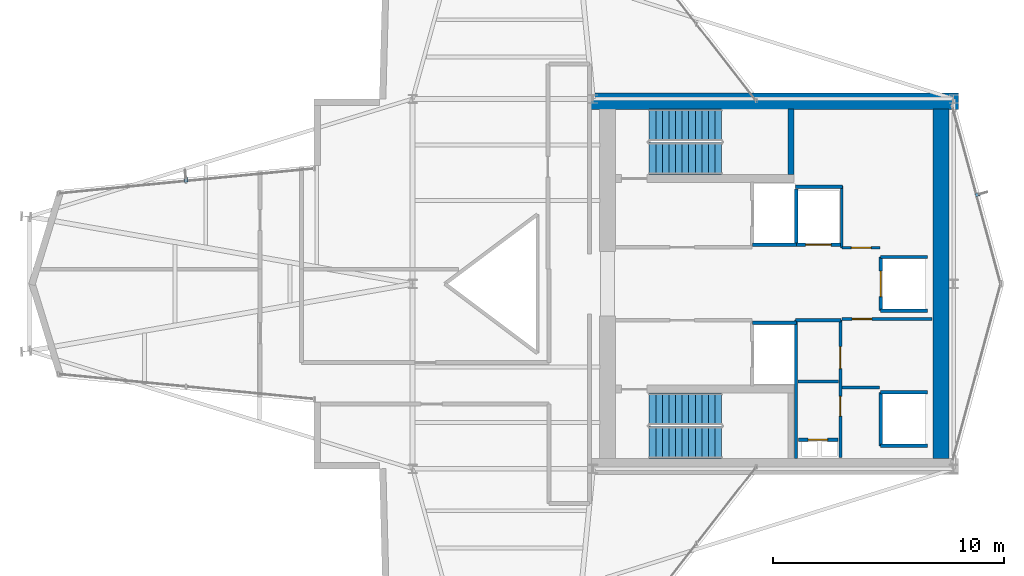
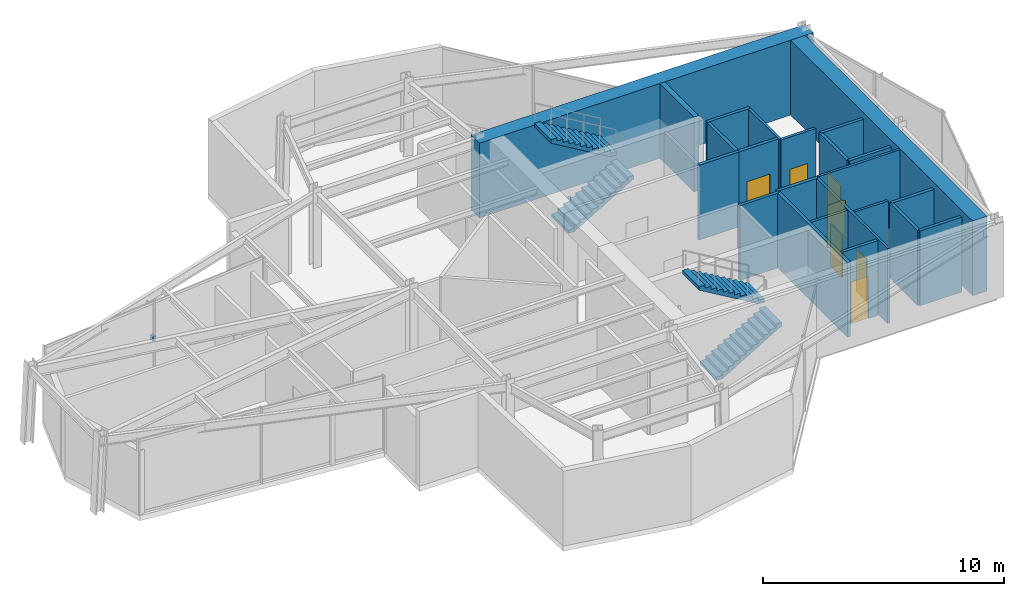
# One storey, part 19 of 20: 23 walls, 7 doors, 4 stair flights, 2 discrete accessories, 7 openings, 2 elements without a shape of their own.
"""IFC4 building model written with IfcOpenShell, lengths in metres."""

from ifc_helpers import new_model, si_unit, direction, frame, frame_2d, origin, origin_2d, place, context, subcontext, project, spatial, polyline, rectangle, outline, extrude, material, layer, layer_set, type_object, element, fill, aggregate, save


model = new_model("IFC4")

# Units and contexts
model_context = context("Model", 3, precision=1e-05, world=origin(), true_north=direction((0.0, 1.0)))
body_context = subcontext(model_context, "Body", "Model", "MODEL_VIEW")
ifc_project = project(units=[si_unit("LENGTHUNIT", "METRE"), si_unit("AREAUNIT", "SQUARE_METRE"), si_unit("VOLUMEUNIT", "CUBIC_METRE"), si_unit("PLANEANGLEUNIT", "RADIAN"), si_unit("MASSUNIT", "GRAM", prefix="KILO")], contexts=[model_context])

# Site, building, storey
site_placement = place(None, origin())
site = spatial("IfcSite", under=ifc_project, at=site_placement, CompositionType="ELEMENT")
building_placement = place(site_placement, origin())
building = spatial("IfcBuilding", under=site, at=building_placement, Name="Veymaron Broadcast Tower", CompositionType="ELEMENT")
storey_placement = place(building_placement, frame((0.0, 0.0, 248.550048828125)))
storey = spatial("IfcBuildingStorey", under=building, at=storey_placement, Name="L58", CompositionType="ELEMENT", Elevation=248.550048828125)

# Walls
ifc_material_1 = material(Name="Gypsum fireboard and steel stud framing", Category="steel")
ifc_layer_1 = layer(ifc_material_1, 0.14990234375)
ifc_layer_set_1 = layer_set([ifc_layer_1], Name="Gypsum fireboard and steel stud framing")
wall_type_1 = type_object("IfcWallType", Name="WALL-FIRE-150", PredefinedType="PARTITIONING", material=ifc_layer_set_1)
for number, where, z_axis, x_axis, name in (
    (1, (45.89501953125, 25.68994140625, 0.0), (0.0, 0.0, 1.0), (1.0, 0.0, 0.0), "L58 partition IW-L58-SHS-FFL-1"),
    (2, (45.89501953125, 22.31005859375, 0.0), (0.0, 0.0, 1.0), (1.0, 0.0, 0.0), "L58 partition IW-L58-SHN-FFL-2"),
):
    element("IfcWall", number, at=place(storey_placement, frame(where, z_axis=z_axis, x_axis=x_axis)), inside=storey, type_object=wall_type_1, Name=name, PredefinedType="PARTITIONING", context=body_context, shape_type="SweptSolid", body=[
        extrude(rectangle(XDim=1.9150390625, YDim=0.14990234375, at=frame_2d((0.95751953125, 0.0))), origin(), (0.0, 0.0, 1.0), 3.7900390625),
    ])

# Wall, opening, door
wall_1_placement = place(storey_placement, frame((47.7900390625, 25.695068359375, 0.0), z_axis=(0.0, 0.0, 1.0), x_axis=(1.0, 0.0, 0.0)))
wall_1 = element("IfcWall", 3, at=wall_1_placement, inside=storey, type_object=wall_type_1, Name="L58 partition IW-L58-SHS-SL-1", PredefinedType="PARTITIONING", context=body_context, shape_type="SweptSolid", body=[
    extrude(rectangle(XDim=1.919921875, YDim=0.14990234375, at=frame_2d((0.9599609375, 0.0))), origin(), (0.0, 0.0, 1.0), 3.7900390625),
])
opening_1_placement = place(wall_1_placement, frame((0.409912109375, 0.0, 0.0)))
opening_1 = element("IfcOpeningElement", 4, at=opening_1_placement, cuts=wall_1, Name="Opening LD", PredefinedType="OPENING", context=body_context, shape_type="SweptSolid", body=[
    extrude(rectangle(XDim=1.10009765625, YDim=2.14990234375, at=frame_2d((0.550048828125, 1.074951171875))), frame((0.0, 0.0849609375, 0.0), z_axis=(0.0, -1.0, 0.0), x_axis=(1.0, 0.0, 0.0)), (0.0, 0.0, 1.0), 0.169921875),
])
ifc_material_2 = material(Name="Brushed stainless steel AISI 304", Category="steel")
door_type_1 = type_object("IfcDoorType", Name="DOOR-LIFT-1100", OperationType="DOUBLE_DOOR_SLIDING", PredefinedType="DOOR", material=ifc_material_2)
door_1_placement = place(opening_1_placement, frame((1.10009765625, 0.0, 0.0), z_axis=(0.0, 0.0, 1.0), x_axis=(-1.0, 0.0, 0.0)))
door_1 = element("IfcDoor", 5, at=door_1_placement, inside=storey, type_object=door_type_1, Name="L58 door LD-L58-SL-1", OperationType="DOUBLE_DOOR_SLIDING", OverallHeight=2.14990234375, OverallWidth=1.10009765625, PredefinedType="DOOR", context=body_context, shape_type="SweptSolid", body=[
    extrude(rectangle(XDim=1.10009765625, YDim=2.14990234375, at=frame_2d((0.550048828125, 1.074951171875))), frame((0.0, 0.02490234375, 0.0), z_axis=(0.0, -1.0, 0.0), x_axis=(1.0, 0.0, 0.0)), (0.0, 0.0, 1.0), 0.050048828125),
])
fill(opening_1, door_1)

# Wall
wall_2_placement = place(storey_placement, frame((47.7900390625, 25.695068359375, 0.0), z_axis=(0.0, 0.0, 1.0), x_axis=(0.0, 1.0, 0.0)))
element("IfcWall", 6, at=wall_2_placement, inside=storey, type_object=wall_type_1, Name="L58 partition IW-L58-SHW-SL-1", PredefinedType="PARTITIONING", context=body_context, shape_type="SweptSolid", body=[
    extrude(rectangle(XDim=2.4150390625, YDim=0.14990234375, at=frame_2d((1.20751953125, 0.0))), origin(), (0.0, 0.0, 1.0), 3.7900390625),
])

# Wall, opening, door
wall_3_placement = place(storey_placement, frame((51.445068359375, 22.840087890625, 0.0), z_axis=(0.0, 0.0, 1.0), x_axis=(0.0, 1.0, 0.0)))
wall_3 = element("IfcWall", 7, at=wall_3_placement, inside=storey, type_object=wall_type_1, Name="L58 partition IW-L58-SHW-PM3", PredefinedType="PARTITIONING", context=body_context, shape_type="SweptSolid", body=[
    extrude(rectangle(XDim=2.31982421875, YDim=0.14990234375, at=frame_2d((1.159912109375, 0.0))), origin(), (0.0, 0.0, 1.0), 3.7900390625),
])
opening_2_placement = place(wall_3_placement, frame((0.610107421875, 0.0, 0.0)))
opening_2 = element("IfcOpeningElement", 8, at=opening_2_placement, cuts=wall_3, Name="Opening LD", PredefinedType="OPENING", context=body_context, shape_type="SweptSolid", body=[
    extrude(rectangle(XDim=1.10009765625, YDim=2.14990234375, at=frame_2d((0.550048828125, 1.074951171875))), frame((0.0, 0.0849609375, 0.0), z_axis=(0.0, -1.0, 0.0), x_axis=(1.0, 0.0, 0.0)), (0.0, 0.0, 1.0), 0.169921875),
])
door_2_placement = place(opening_2_placement, frame((1.10009765625, 0.0, 0.0), z_axis=(0.0, 0.0, 1.0), x_axis=(-1.0, 0.0, 0.0)))
door_2 = element("IfcDoor", 9, at=door_2_placement, inside=storey, type_object=door_type_1, Name="L58 door LD-L58-PM3", OperationType="DOUBLE_DOOR_SLIDING", OverallHeight=2.14990234375, OverallWidth=1.10009765625, PredefinedType="DOOR", context=body_context, shape_type="SweptSolid", body=[
    extrude(rectangle(XDim=1.10009765625, YDim=2.14990234375, at=frame_2d((0.550048828125, 1.074951171875))), frame((0.0, 0.02490234375, 0.0), z_axis=(0.0, -1.0, 0.0), x_axis=(1.0, 0.0, 0.0)), (0.0, 0.0, 1.0), 0.050048828125),
])
fill(opening_2, door_2)

# Walls
for number, where, z_axis, x_axis, name in (
    (10, (51.445068359375, 22.840087890625, 0.0), (0.0, 0.0, 1.0), (1.0, 0.0, 0.0), "L58 partition IW-L58-SHS-PM3"),
    (11, (51.445068359375, 25.159912109375, 0.0), (0.0, 0.0, 1.0), (1.0, 0.0, 0.0), "L58 partition IW-L58-SHN-PM3"),
):
    element("IfcWall", number, at=place(storey_placement, frame(where, z_axis=z_axis, x_axis=x_axis)), inside=storey, type_object=wall_type_1, Name=name, PredefinedType="PARTITIONING", context=body_context, shape_type="SweptSolid", body=[
        extrude(rectangle(XDim=2.014892578125, YDim=0.14990234375, at=frame_2d((1.00732421875, 0.0))), origin(), (0.0, 0.0, 1.0), 3.7900390625),
    ])
wall_4_placement = place(storey_placement, frame((51.445068359375, 16.989990234375, 0.0), z_axis=(0.0, 0.0, 1.0), x_axis=(0.0, 1.0, 0.0)))
element("IfcWall", 12, at=wall_4_placement, inside=storey, type_object=wall_type_1, Name="L58 partition IW-L58-SHW-PH1", PredefinedType="PARTITIONING", context=body_context, shape_type="SweptSolid", body=[
    extrude(rectangle(XDim=2.320068359375, YDim=0.14990234375, at=frame_2d((1.16015625, 0.0))), origin(), (0.0, 0.0, 1.0), 3.7900390625),
])
for number, where, z_axis, x_axis, name in (
    (13, (51.445068359375, 16.989990234375, 0.0), (0.0, 0.0, 1.0), (1.0, 0.0, 0.0), "L58 partition IW-L58-SHS-PH1"),
    (14, (51.445068359375, 19.31005859375, 0.0), (0.0, 0.0, 1.0), (1.0, 0.0, 0.0), "L58 partition IW-L58-SHN-PH1"),
):
    element("IfcWall", number, at=place(storey_placement, frame(where, z_axis=z_axis, x_axis=x_axis)), inside=storey, type_object=wall_type_1, Name=name, PredefinedType="PARTITIONING", context=body_context, shape_type="SweptSolid", body=[
        extrude(rectangle(XDim=2.014892578125, YDim=0.14990234375, at=frame_2d((1.00732421875, 0.0))), origin(), (0.0, 0.0, 1.0), 3.7900390625),
    ])

# Wall, opening, door
wall_5_placement = place(storey_placement, frame((47.8798828125, 17.260009765625, 0.0), z_axis=(0.0, 0.0, 1.0), x_axis=(1.0, 0.0, 0.0)))
wall_5 = element("IfcWall", 15, at=wall_5_placement, inside=storey, type_object=wall_type_1, Name="L58 partition IW-L58-RIS-N", PredefinedType="PARTITIONING", context=body_context, shape_type="SweptSolid", body=[
    extrude(rectangle(XDim=1.72021484375, YDim=0.14990234375, at=frame_2d((0.860107421875, 0.0))), origin(), (0.0, 0.0, 1.0), 3.7900390625),
])
opening_3_placement = place(wall_5_placement, frame((0.419921875, 0.0, 0.0)))
opening_3 = element("IfcOpeningElement", 16, at=opening_3_placement, cuts=wall_5, Name="Opening ID-RS1", PredefinedType="OPENING", context=body_context, shape_type="SweptSolid", body=[
    extrude(rectangle(XDim=0.85009765625, YDim=2.14990234375, at=frame_2d((0.425048828125, 1.074951171875))), frame((0.0, 0.0849609375, 0.0), z_axis=(0.0, -1.0, 0.0), x_axis=(1.0, 0.0, 0.0)), (0.0, 0.0, 1.0), 0.169921875),
])
ifc_material_3 = material(Name="Fire-rated powder-coated steel riser leaf", Category="steel")
door_type_2 = type_object("IfcDoorType", Name="DOOR-RIS-850", OperationType="NOTDEFINED", PredefinedType="TRAPDOOR", material=ifc_material_3)
door_3_placement = place(opening_3_placement, origin())
door_3 = element("IfcDoor", 17, at=door_3_placement, inside=storey, type_object=door_type_2, Name="L58 door DR-L58-RIS", OperationType="SINGLE_SWING_LEFT", OverallHeight=2.14990234375, OverallWidth=0.85009765625, PredefinedType="TRAPDOOR", context=body_context, shape_type="SweptSolid", body=[
    extrude(rectangle(XDim=0.85009765625, YDim=2.14990234375, at=frame_2d((0.425048828125, 1.074951171875))), frame((0.0, 0.02490234375, 0.0), z_axis=(0.0, -1.0, 0.0), x_axis=(1.0, 0.0, 0.0)), (0.0, 0.0, 1.0), 0.050048828125),
])
fill(opening_3, door_3)

# Walls
wall_6_placement = place(storey_placement, frame((47.760009765625, 22.425048828125, 0.0), z_axis=(0.0, 0.0, 1.0), x_axis=(1.0, 0.0, 0.0)))
element("IfcWall", 18, at=wall_6_placement, inside=storey, type_object=wall_type_1, Name="L58 partition IW-L58-SM-N", PredefinedType="PARTITIONING", context=body_context, shape_type="SweptSolid", body=[
    extrude(rectangle(XDim=1.9599609375, YDim=0.14990234375, at=frame_2d((0.97998046875, 0.0))), origin(), (0.0, 0.0, 1.0), 3.7900390625),
])
wall_7_placement = place(storey_placement, frame((47.780029296875, 16.449951171875, 0.0), z_axis=(0.0, 0.0, 1.0), x_axis=(0.0, 1.0, 0.0)))
element("IfcWall", 19, at=wall_7_placement, inside=storey, type_object=wall_type_1, Name="L58 partition IW-L58-SM-W", PredefinedType="PARTITIONING", context=body_context, shape_type="SweptSolid", body=[
    extrude(rectangle(XDim=5.97509765625, YDim=0.14990234375, at=frame_2d((2.987548828125, 0.0))), origin(), (0.0, 0.0, 1.0), 3.7900390625),
])
wall_8_placement = place(storey_placement, frame((47.760009765625, 28.199951171875, 0.0), z_axis=(0.0, 0.0, 1.0), x_axis=(1.0, 0.0, 0.0)))
element("IfcWall", 20, at=wall_8_placement, inside=storey, type_object=wall_type_1, Name="L58 partition IW-L58-F2-SW", PredefinedType="PARTITIONING", context=body_context, shape_type="SweptSolid", body=[
    extrude(rectangle(XDim=2.0400390625, YDim=0.14990234375, at=frame_2d((1.02001953125, 0.0))), origin(), (0.0, 0.0, 1.0), 3.7900390625),
])
ifc_material_4 = material(Name="Acoustic gypsum board and galvanized stud", Category="gypsum")
ifc_layer_2 = layer(ifc_material_4, 0.1201171875)
ifc_layer_set_2 = layer_set([ifc_layer_2], Name="Acoustic gypsum board and galvanized stud")
wall_type_2 = type_object("IfcWallType", Name="WALL-PART-120", PredefinedType="PARTITIONING", material=ifc_layer_set_2)
wall_9_placement = place(storey_placement, frame((47.860107421875, 19.780029296875, 0.0), z_axis=(0.0, 0.0, 1.0), x_axis=(1.0, 0.0, 0.0)))
element("IfcWall", 21, at=wall_9_placement, inside=storey, type_object=wall_type_2, Name="L58 partition IW-L58-SM-DIV", PredefinedType="PARTITIONING", context=body_context, shape_type="SweptSolid", body=[
    extrude(rectangle(XDim=1.760009765625, YDim=0.1201171875, at=frame_2d((0.8798828125, 0.0))), origin(), (0.0, 0.0, 1.0), 3.7900390625),
])

# Wall, openings, doors
wall_10_placement = place(storey_placement, frame((49.699951171875, 16.47998046875, 0.0), z_axis=(0.0, 0.0, 1.0), x_axis=(0.0, 1.0, 0.0)))
wall_10 = element("IfcWall", 22, at=wall_10_placement, inside=storey, type_object=wall_type_2, Name="L58 partition IW-L58-SM-E", PredefinedType="PARTITIONING", context=body_context, shape_type="SweptSolid", body=[
    extrude(rectangle(XDim=5.945068359375, YDim=0.1201171875, at=frame_2d((2.97265625, 0.0))), origin(), (0.0, 0.0, 1.0), 3.7900390625),
])
opening_4_placement = place(wall_10_placement, frame((1.800048828125, 0.0, 0.0)))
opening_4 = element("IfcOpeningElement", 23, at=opening_4_placement, cuts=wall_10, Name="Opening ID-WC1", PredefinedType="OPENING", context=body_context, shape_type="SweptSolid", body=[
    extrude(rectangle(XDim=0.85009765625, YDim=2.14990234375, at=frame_2d((0.425048828125, 1.074951171875))), frame((0.0, 0.070068359375, 0.0), z_axis=(0.0, -1.0, 0.0), x_axis=(1.0, 0.0, 0.0)), (0.0, 0.0, 1.0), 0.14013671875),
])
opening_5_placement = place(wall_10_placement, frame((3.85009765625, 0.0, 0.0)))
opening_5 = element("IfcOpeningElement", 24, at=opening_5_placement, cuts=wall_10, Name="Opening ID-RM1", PredefinedType="OPENING", context=body_context, shape_type="SweptSolid", body=[
    extrude(rectangle(XDim=0.949951171875, YDim=2.14990234375, at=frame_2d((0.47509765625, 1.074951171875))), frame((0.0, 0.070068359375, 0.0), z_axis=(0.0, -1.0, 0.0), x_axis=(1.0, 0.0, 0.0)), (0.0, 0.0, 1.0), 0.14013671875),
])
ifc_material_5 = material(Name="Moisture-resistant high-pressure laminate timber", Category="wood")
door_type_3 = type_object("IfcDoorType", Name="DOOR-INT-850", OperationType="NOTDEFINED", PredefinedType="DOOR", material=ifc_material_5)
door_4_placement = place(opening_4_placement, frame((0.85009765625, 0.0, 0.0), z_axis=(0.0, 0.0, 1.0), x_axis=(-1.0, 0.0, 0.0)))
door_4 = element("IfcDoor", 25, at=door_4_placement, inside=storey, type_object=door_type_3, Name="L58 door DR-L58-SWC", OperationType="SINGLE_SWING_LEFT", OverallHeight=2.14990234375, OverallWidth=0.85009765625, PredefinedType="DOOR", context=body_context, shape_type="SweptSolid", body=[
    extrude(rectangle(XDim=0.85009765625, YDim=2.14990234375, at=frame_2d((0.425048828125, 1.074951171875))), frame((0.0, 0.02490234375, 0.0), z_axis=(0.0, -1.0, 0.0), x_axis=(1.0, 0.0, 0.0)), (0.0, 0.0, 1.0), 0.050048828125),
])
fill(opening_4, door_4)
ifc_material_6 = material(Name="Acoustic solid-core European oak veneer timber", Category="wood")
door_type_4 = type_object("IfcDoorType", Name="DOOR-INT-950", OperationType="NOTDEFINED", PredefinedType="DOOR", material=ifc_material_6)
door_5_placement = place(opening_5_placement, frame((0.949951171875, 0.0, 0.0), z_axis=(0.0, 0.0, 1.0), x_axis=(-1.0, 0.0, 0.0)))
door_5 = element("IfcDoor", 26, at=door_5_placement, inside=storey, type_object=door_type_4, Name="L58 door DR-L58-AWC", OperationType="SINGLE_SWING_RIGHT", OverallHeight=2.14990234375, OverallWidth=0.949951171875, PredefinedType="DOOR", context=body_context, shape_type="SweptSolid", body=[
    extrude(rectangle(XDim=0.949951171875, YDim=2.14990234375, at=frame_2d((0.47509765625, 1.074951171875))), frame((0.0, 0.02490234375, 0.0), z_axis=(0.0, -1.0, 0.0), x_axis=(1.0, 0.0, 0.0)), (0.0, 0.0, 1.0), 0.050048828125),
])
fill(opening_5, door_5)

# Wall, opening, door
wall_11_placement = place(storey_placement, frame((49.760009765625, 22.47998046875, 0.0), z_axis=(0.0, 0.0, 1.0), x_axis=(1.0, 0.0, 0.0)))
wall_11 = element("IfcWall", 27, at=wall_11_placement, inside=storey, type_object=wall_type_2, Name="L58 partition IW-L58-F2S-N", PredefinedType="PARTITIONING", context=body_context, shape_type="SweptSolid", body=[
    extrude(rectangle(XDim=3.89990234375, YDim=0.1201171875, at=frame_2d((1.949951171875, 0.0))), origin(), (0.0, 0.0, 1.0), 3.7900390625),
])
opening_6_placement = place(wall_11_placement, frame((0.449951171875, 0.0, 0.0)))
opening_6 = element("IfcOpeningElement", 28, at=opening_6_placement, cuts=wall_11, Name="Opening ID-WC1", PredefinedType="OPENING", context=body_context, shape_type="SweptSolid", body=[
    extrude(rectangle(XDim=0.85009765625, YDim=2.14990234375, at=frame_2d((0.425048828125, 1.074951171875))), frame((0.0, 0.070068359375, 0.0), z_axis=(0.0, -1.0, 0.0), x_axis=(1.0, 0.0, 0.0)), (0.0, 0.0, 1.0), 0.14013671875),
])
door_6_placement = place(opening_6_placement, frame((0.85009765625, 0.0, 0.0), z_axis=(0.0, 0.0, 1.0), x_axis=(-1.0, 0.0, 0.0)))
door_6 = element("IfcDoor", 29, at=door_6_placement, inside=storey, type_object=door_type_3, Name="L58 door DR-L58-F2S", OperationType="SINGLE_SWING_LEFT", OverallHeight=2.14990234375, OverallWidth=0.85009765625, PredefinedType="DOOR", context=body_context, shape_type="SweptSolid", body=[
    extrude(rectangle(XDim=0.85009765625, YDim=2.14990234375, at=frame_2d((0.425048828125, 1.074951171875))), frame((0.0, 0.02490234375, 0.0), z_axis=(0.0, -1.0, 0.0), x_axis=(1.0, 0.0, 0.0)), (0.0, 0.0, 1.0), 0.050048828125),
])
fill(opening_6, door_6)

# Walls
wall_12_placement = place(storey_placement, frame((49.760009765625, 19.52001953125, 0.0), z_axis=(0.0, 0.0, 1.0), x_axis=(1.0, 0.0, 0.0)))
element("IfcWall", 30, at=wall_12_placement, inside=storey, type_object=wall_type_2, Name="L58 partition IW-L58-F2S-S", PredefinedType="PARTITIONING", context=body_context, shape_type="SweptSolid", body=[
    extrude(rectangle(XDim=1.639892578125, YDim=0.1201171875, at=frame_2d((0.81982421875, 0.0))), origin(), (0.0, 0.0, 1.0), 3.7900390625),
])
wall_13_placement = place(storey_placement, frame((49.760009765625, 25.56005859375, 0.0), z_axis=(0.0, 0.0, 1.0), x_axis=(0.0, 1.0, 0.0)))
element("IfcWall", 31, at=wall_13_placement, inside=storey, type_object=wall_type_2, Name="L58 partition IW-L58-F2-W1", PredefinedType="PARTITIONING", context=body_context, shape_type="SweptSolid", body=[
    extrude(rectangle(XDim=2.659912109375, YDim=0.1201171875, at=frame_2d((1.330078125, 0.0))), origin(), (0.0, 0.0, 1.0), 3.7900390625),
])

# Wall, opening, door
wall_14_placement = place(storey_placement, frame((49.760009765625, 25.56005859375, 0.0), z_axis=(0.0, 0.0, 1.0), x_axis=(1.0, 0.0, 0.0)))
wall_14 = element("IfcWall", 32, at=wall_14_placement, inside=storey, type_object=wall_type_2, Name="L58 partition IW-L58-F2-S", PredefinedType="PARTITIONING", context=body_context, shape_type="SweptSolid", body=[
    extrude(rectangle(XDim=1.659912109375, YDim=0.1201171875, at=frame_2d((0.830078125, 0.0))), origin(), (0.0, 0.0, 1.0), 3.7900390625),
])
opening_7_placement = place(wall_14_placement, frame((0.419921875, 0.0, 0.0)))
opening_7 = element("IfcOpeningElement", 33, at=opening_7_placement, cuts=wall_14, Name="Opening ID-WC1", PredefinedType="OPENING", context=body_context, shape_type="SweptSolid", body=[
    extrude(rectangle(XDim=0.85009765625, YDim=2.14990234375, at=frame_2d((0.425048828125, 1.074951171875))), frame((0.0, 0.070068359375, 0.0), z_axis=(0.0, -1.0, 0.0), x_axis=(1.0, 0.0, 0.0)), (0.0, 0.0, 1.0), 0.14013671875),
])
door_7_placement = place(opening_7_placement, origin())
door_7 = element("IfcDoor", 34, at=door_7_placement, inside=storey, type_object=door_type_3, Name="L58 door DR-L58-F2A", OperationType="SINGLE_SWING_LEFT", OverallHeight=2.14990234375, OverallWidth=0.85009765625, PredefinedType="DOOR", context=body_context, shape_type="SweptSolid", body=[
    extrude(rectangle(XDim=0.85009765625, YDim=2.14990234375, at=frame_2d((0.425048828125, 1.074951171875))), frame((0.0, 0.02490234375, 0.0), z_axis=(0.0, -1.0, 0.0), x_axis=(1.0, 0.0, 0.0)), (0.0, 0.0, 1.0), 0.050048828125),
])
fill(opening_7, door_7)

# Walls
ifc_material_7 = material(Name="Concrete C50/60", Category="concrete")
ifc_layer_3 = layer(ifc_material_7, 0.25)
ifc_layer_set_3 = layer_set([ifc_layer_3], Name="Concrete C50/60")
wall_type_3 = type_object("IfcWallType", Name="WALL-SHEAR-250", PredefinedType="SHEAR", material=ifc_layer_set_3)
wall_15_placement = place(storey_placement, frame((47.56494140625, 28.72998046875, 0.0), z_axis=(0.0, 0.0, 1.0), x_axis=(0.0, 1.0, 0.0)))
element("IfcWall", 35, at=wall_15_placement, inside=storey, type_object=wall_type_3, Name="L58 Core Wall north stair east shear", PredefinedType="SHEAR", context=body_context, shape_type="SweptSolid", body=[
    extrude(rectangle(XDim=2.820068359375, YDim=0.25, at=frame_2d((1.41015625, 0.0))), origin(), (0.0, 0.0, 1.0), 3.7900390625),
])
ifc_material_8 = material(Name="Concrete C60/75", Category="concrete")
ifc_layer_4 = layer(ifc_material_8, 0.699951171875)
ifc_layer_set_4 = layer_set([ifc_layer_4], Name="Concrete C60/75")
wall_type_4 = type_object("IfcWallType", Name="WALL-SHEAR-700", PredefinedType="SHEAR", material=ifc_layer_set_4)
wall_16_placement = place(storey_placement, frame((38.800048828125, 31.89990234375, 0.0), z_axis=(0.0, 0.0, 1.0), x_axis=(1.0, 0.0, 0.0)))
element("IfcWall", 36, at=wall_16_placement, inside=storey, type_object=wall_type_4, Name="L58 Core Wall north shear", PredefinedType="SHEAR", context=body_context, shape_type="SweptSolid", body=[
    extrude(rectangle(XDim=16.0, YDim=0.699951171875, at=frame_2d((8.0, 0.0))), origin(), (0.0, 0.0, 1.0), 3.7900390625),
])
wall_17_placement = place(storey_placement, frame((54.050048828125, 16.449951171875, 0.0), z_axis=(0.0, 0.0, 1.0), x_axis=(0.0, 1.0, 0.0)))
element("IfcWall", 37, at=wall_17_placement, inside=storey, type_object=wall_type_4, Name="L58 Core Wall east shear", PredefinedType="SHEAR", context=body_context, shape_type="SweptSolid", body=[
    extrude(rectangle(XDim=15.10009765625, YDim=0.699951171875, at=frame_2d((7.550048828125, 0.0))), origin(), (0.0, 0.0, 1.0), 3.7900390625),
])

# Stair, stair flights
stair_type_1 = type_object("IfcStairType", Name="STAIR-CORE-1", PredefinedType="HALF_TURN_STAIR", material=ifc_material_7)
stair_1_placement = place(storey_placement, origin())
stair_1 = element("IfcStair", 38, at=stair_1_placement, inside=storey, type_object=stair_type_1, Name="L58 North protected dog-leg exit stair ST1", PredefinedType="HALF_TURN_STAIR")
ifc_material_9 = material(Name="Precast concrete C50/60", Category="concrete")
stair_flight_type = type_object("IfcStairFlightType", Name="FLT-CORE-RC", PredefinedType="STRAIGHT", material=ifc_material_9)
stair_flight_1_placement = place(storey_placement, frame((41.429931640625, 29.419921875, 0.0), z_axis=(0.0, 0.0, 1.0), x_axis=(1.0, 0.0, 0.0)))
stair_flight_1 = element("IfcStairFlight", 39, at=stair_flight_1_placement, type_object=stair_flight_type, Name="ST1 flight 1", NumberOfRisers=12, NumberOfTreads=11, PredefinedType="STRAIGHT", RiserHeight=0.16875, TreadLength=0.285, context=body_context, shape_type="SweptSolid", body=[
    extrude(outline(polyline([(0.0, 0.0), (0.0, 0.168701171875), (0.284912109375, 0.168701171875), (0.284912109375, 0.33740234375), (0.570068359375, 0.33740234375), (0.570068359375, 0.50634765625), (0.85498046875, 0.50634765625), (0.85498046875, 0.675048828125), (1.139892578125, 0.675048828125), (1.139892578125, 0.84375), (1.425048828125, 0.84375), (1.425048828125, 1.012451171875), (1.7099609375, 1.012451171875), (1.7099609375, 1.18115234375), (1.9951171875, 1.18115234375), (1.9951171875, 1.35009765625), (2.280029296875, 1.35009765625), (2.280029296875, 1.518798828125), (2.56494140625, 1.518798828125), (2.56494140625, 1.6875), (2.85009765625, 1.6875), (2.85009765625, 1.856201171875), (3.135009765625, 1.856201171875), (3.135009765625, 2.02490234375), (3.135009765625, 1.68212890625), (0.294189453125, 0.0), (0.0, 0.0)])), frame((0.0, 0.68994140625, 0.0), z_axis=(0.0, -1.0, 0.0), x_axis=(1.0, 0.0, 0.0)), (0.0, 0.0, 1.0), 1.3798828125),
])
stair_flight_2_placement = place(storey_placement, frame((44.56494140625, 30.860107421875, 2.02490234375), z_axis=(0.0, 0.0, 1.0), x_axis=(-1.0, 0.0, 0.0)))
stair_flight_2 = element("IfcStairFlight", 40, at=stair_flight_2_placement, type_object=stair_flight_type, Name="ST1 flight 2", NumberOfRisers=12, NumberOfTreads=11, PredefinedType="STRAIGHT", RiserHeight=0.16875, TreadLength=0.285, context=body_context, shape_type="SweptSolid", body=[
    extrude(outline(polyline([(0.0, 0.0), (0.0, 0.168701171875), (0.284912109375, 0.168701171875), (0.284912109375, 0.33740234375), (0.570068359375, 0.33740234375), (0.570068359375, 0.50634765625), (0.85498046875, 0.50634765625), (0.85498046875, 0.675048828125), (1.139892578125, 0.675048828125), (1.139892578125, 0.84375), (1.425048828125, 0.84375), (1.425048828125, 1.012451171875), (1.7099609375, 1.012451171875), (1.7099609375, 1.18115234375), (1.9951171875, 1.18115234375), (1.9951171875, 1.35009765625), (2.280029296875, 1.35009765625), (2.280029296875, 1.518798828125), (2.56494140625, 1.518798828125), (2.56494140625, 1.6875), (2.85009765625, 1.6875), (2.85009765625, 1.856201171875), (3.135009765625, 1.856201171875), (3.135009765625, 2.02490234375), (3.135009765625, 1.68212890625), (0.294189453125, 0.0), (0.0, 0.0)])), frame((0.0, 0.68994140625, 0.0), z_axis=(0.0, -1.0, 0.0), x_axis=(1.0, 0.0, 0.0)), (0.0, 0.0, 1.0), 1.3798828125),
])
aggregate(stair_1, [stair_flight_1, stair_flight_2])

stair_type_2 = type_object("IfcStairType", Name="STAIR-CORE-2", PredefinedType="HALF_TURN_STAIR", material=ifc_material_7)
stair_2_placement = place(storey_placement, origin())
stair_2 = element("IfcStair", 41, at=stair_2_placement, inside=storey, type_object=stair_type_2, Name="L58 South protected dog-leg exit stair ST2", PredefinedType="HALF_TURN_STAIR")
stair_flight_3_placement = place(storey_placement, frame((41.429931640625, 17.139892578125, 0.0), z_axis=(0.0, 0.0, 1.0), x_axis=(1.0, 0.0, 0.0)))
stair_flight_3 = element("IfcStairFlight", 42, at=stair_flight_3_placement, type_object=stair_flight_type, Name="ST2 flight 1", NumberOfRisers=12, NumberOfTreads=11, PredefinedType="STRAIGHT", RiserHeight=0.16875, TreadLength=0.285, context=body_context, shape_type="SweptSolid", body=[
    extrude(outline(polyline([(0.0, 0.0), (0.0, 0.168701171875), (0.284912109375, 0.168701171875), (0.284912109375, 0.33740234375), (0.570068359375, 0.33740234375), (0.570068359375, 0.50634765625), (0.85498046875, 0.50634765625), (0.85498046875, 0.675048828125), (1.139892578125, 0.675048828125), (1.139892578125, 0.84375), (1.425048828125, 0.84375), (1.425048828125, 1.012451171875), (1.7099609375, 1.012451171875), (1.7099609375, 1.18115234375), (1.9951171875, 1.18115234375), (1.9951171875, 1.35009765625), (2.280029296875, 1.35009765625), (2.280029296875, 1.518798828125), (2.56494140625, 1.518798828125), (2.56494140625, 1.6875), (2.85009765625, 1.6875), (2.85009765625, 1.856201171875), (3.135009765625, 1.856201171875), (3.135009765625, 2.02490234375), (3.135009765625, 1.68212890625), (0.294189453125, 0.0), (0.0, 0.0)])), frame((0.0, 0.68994140625, 0.0), z_axis=(0.0, -1.0, 0.0), x_axis=(1.0, 0.0, 0.0)), (0.0, 0.0, 1.0), 1.3798828125),
])
stair_flight_4_placement = place(storey_placement, frame((44.56494140625, 18.580078125, 2.02490234375), z_axis=(0.0, 0.0, 1.0), x_axis=(-1.0, 0.0, 0.0)))
stair_flight_4 = element("IfcStairFlight", 43, at=stair_flight_4_placement, type_object=stair_flight_type, Name="ST2 flight 2", NumberOfRisers=12, NumberOfTreads=11, PredefinedType="STRAIGHT", RiserHeight=0.16875, TreadLength=0.285, context=body_context, shape_type="SweptSolid", body=[
    extrude(outline(polyline([(0.0, 0.0), (0.0, 0.168701171875), (0.284912109375, 0.168701171875), (0.284912109375, 0.33740234375), (0.570068359375, 0.33740234375), (0.570068359375, 0.50634765625), (0.85498046875, 0.50634765625), (0.85498046875, 0.675048828125), (1.139892578125, 0.675048828125), (1.139892578125, 0.84375), (1.425048828125, 0.84375), (1.425048828125, 1.012451171875), (1.7099609375, 1.012451171875), (1.7099609375, 1.18115234375), (1.9951171875, 1.18115234375), (1.9951171875, 1.35009765625), (2.280029296875, 1.35009765625), (2.280029296875, 1.518798828125), (2.56494140625, 1.518798828125), (2.56494140625, 1.6875), (2.85009765625, 1.6875), (2.85009765625, 1.856201171875), (3.135009765625, 1.856201171875), (3.135009765625, 2.02490234375), (3.135009765625, 1.68212890625), (0.294189453125, 0.0), (0.0, 0.0)])), frame((0.0, 0.68994140625, 0.0), z_axis=(0.0, -1.0, 0.0), x_axis=(1.0, 0.0, 0.0)), (0.0, 0.0, 1.0), 1.3798828125),
])
aggregate(stair_2, [stair_flight_3, stair_flight_4])

# Discrete accessories
ifc_material_10 = material(Name="Austenitic stainless steel AISI 316L", Category="steel")
ifc_layer_5 = layer(ifc_material_10, 0.1201171875)
ifc_layer_set_5 = layer_set([ifc_layer_5], Name="Austenitic stainless steel AISI 316L")
discrete_accessory_type = type_object("IfcDiscreteAccessoryType", Name="ACC-BRKT-SS1", PredefinedType="BRACKET", material=ifc_layer_set_5)
for number, where, z_axis, x_axis, name in (
    (44, (55.6435546875, 27.85791015625, 1.78515625), (0.0, 0.0, 1.0), (0.964952400763, 0.262424968824, 0.0), "CW-L58-E3-1 fin bracket 1"),
    (45, (21.39892578125, 28.503173828125, 1.78515625), (0.0, 0.0, 1.0), (-0.096957560721, 0.995288516672, 0.0), "CW-L58-E11-1 fin bracket 1"),
):
    element("IfcDiscreteAccessory", number, at=place(storey_placement, frame(where, z_axis=z_axis, x_axis=x_axis)), inside=storey, type_object=discrete_accessory_type, Name=name, PredefinedType="BRACKET", context=body_context, shape_type="SweptSolid", body=[
        extrude(rectangle(XDim=0.219970703125, YDim=0.139892578125, at=origin_2d()), origin(), (0.0, 0.0, 1.0), 0.219970703125),
    ])

save(model, "model.ifc")
